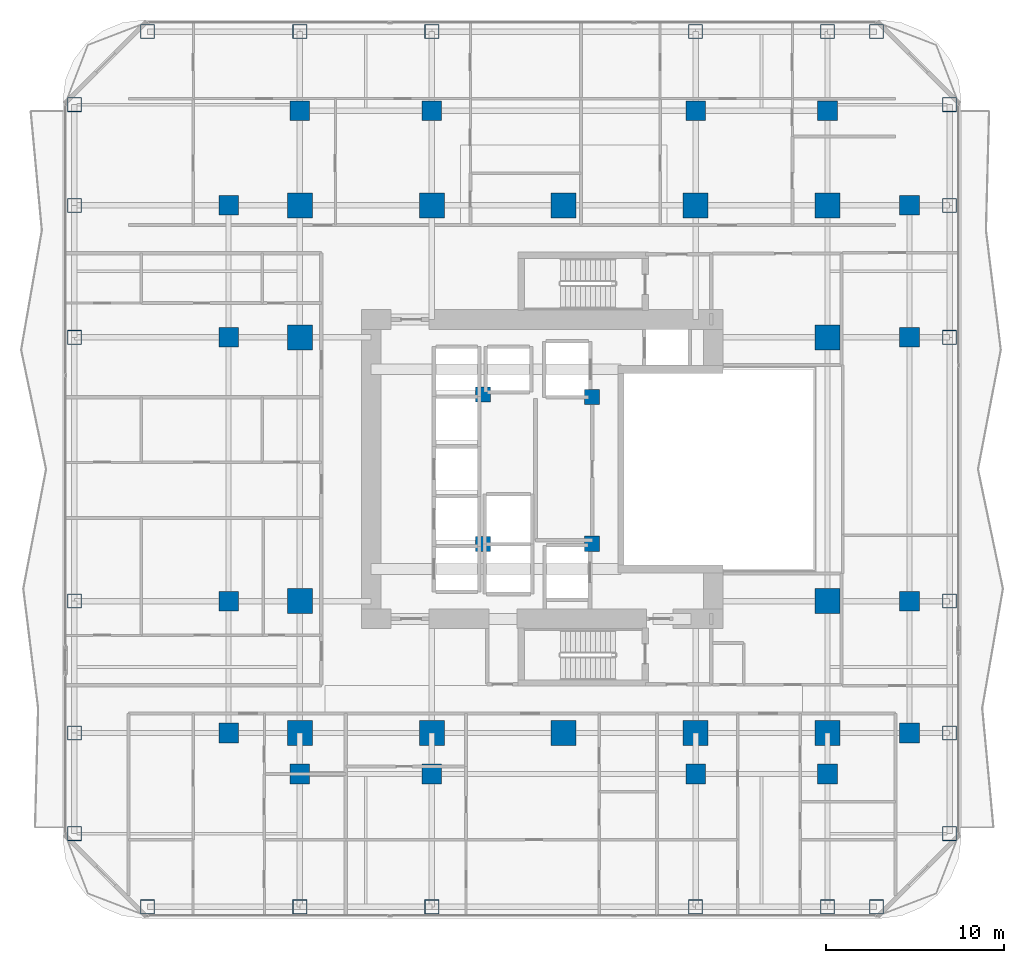
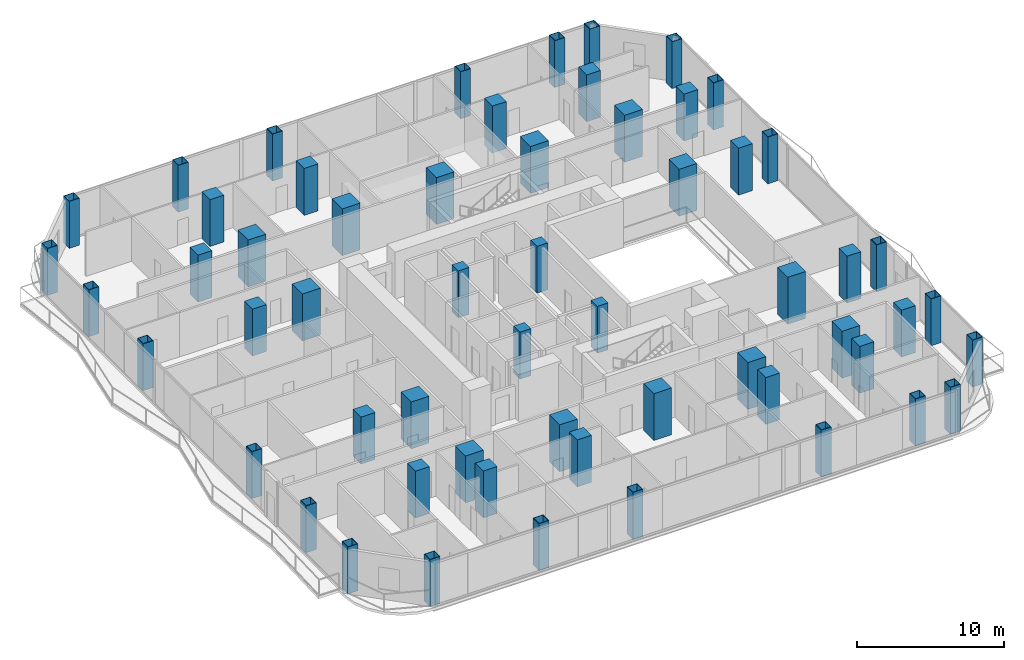
# One storey, part 1 of 29: 58 columns.
"""IFC4 building model written with IfcOpenShell, lengths in metres."""

import ifcopenshell
import ifcopenshell.guid

model = None  # the IFC model being written
_history = None  # IfcOwnerHistory: only IFC2X3 demands one
_inside = {}  # id of a spatial element -> (the spatial element, [elements in it])
_under = {}  # id of a project, library or spatial element -> (it, [spatial elements below it])
_declared = {}  # id of a project -> (the project, [libraries it declares])
_typed = {}  # id of a type object -> (the type object, [elements of that type])
_made_of = {}  # id of a material, layer set ... -> (it, [elements and type objects made of it])


def new_model(schema):
    """Start an empty IFC model of exactly this schema.

    Asked for "IFC4X3", IfcOpenShell would pick the latest addendum, in which some entities
    have other attributes; the version numbers below select the first issue.
    IFC2X3 requires an IfcOwnerHistory on every rooted entity: one is made here for all.
    """
    global model, _history
    if schema == "IFC4X3":
        model = ifcopenshell.file(schema_version=(4, 3, 0, 0))
    else:
        model = ifcopenshell.file(schema=schema)
    _inside.clear()
    _under.clear()
    _declared.clear()
    _typed.clear()
    _made_of.clear()
    _history = None
    if model.schema == "IFC2X3":
        org = make("IfcOrganization", Name="unknown")
        user = make(
            "IfcPersonAndOrganization",
            ThePerson=make("IfcPerson", FamilyName="unknown"),
            TheOrganization=org,
        )
        app = make(
            "IfcApplication",
            ApplicationDeveloper=org,
            Version="unknown",
            ApplicationFullName="unknown",
            ApplicationIdentifier="unknown",
        )
        _history = make(
            "IfcOwnerHistory",
            OwningUser=user,
            OwningApplication=app,
            ChangeAction="ADDED",
            CreationDate=0,
        )
    return model


def make(cls, **values):
    """One entity of the class cls with the attributes given. An attribute that is None is left unset."""
    return model.create_entity(
        cls, **{name: value for name, value in values.items() if value is not None}
    )


def rooted(cls, **values):
    """An entity with a GlobalId (a new one), such as an element, a storey or a relation."""
    return make(cls, GlobalId=ifcopenshell.guid.new(), OwnerHistory=_history, **values)


def si_unit(unit_type, name, prefix=None):
    """IfcSIUnit, for example si_unit("LENGTHUNIT", "METRE", prefix="MILLI")."""
    return make("IfcSIUnit", UnitType=unit_type, Prefix=prefix, Name=name)


def assignment(units):
    """IfcUnitAssignment: the units of a project."""
    return None if units is None else make("IfcUnitAssignment", Units=units)


def point(xyz):
    """IfcCartesianPoint."""
    return None if xyz is None else make("IfcCartesianPoint", Coordinates=xyz)


def direction(xyz):
    """IfcDirection."""
    return None if xyz is None else make("IfcDirection", DirectionRatios=xyz)


def frame(location, z_axis=None, x_axis=None):
    """IfcAxis2Placement3D, a coordinate frame: its origin and axes. An axis left out is left unset."""
    return make(
        "IfcAxis2Placement3D",
        Location=point(location),
        Axis=direction(z_axis),
        RefDirection=direction(x_axis),
    )


def frame_2d(location, x_axis=None):
    """IfcAxis2Placement2D, a coordinate frame in the plane: its origin and x axis."""
    return make(
        "IfcAxis2Placement2D", Location=point(location), RefDirection=direction(x_axis)
    )


def origin():
    """The frame at (0, 0, 0) with its axes left unset."""
    return frame((0.0, 0.0, 0.0))


def origin_2d():
    """The frame at (0, 0) in the plane with its x axis left unset."""
    return frame_2d((0.0, 0.0))


def place(relative_to, where):
    """IfcLocalPlacement: puts the frame where relative to a parent placement (None: the world)."""
    return make(
        "IfcLocalPlacement", PlacementRelTo=relative_to, RelativePlacement=where
    )


def context(
    kind, dimensions, precision=None, world=None, true_north=None, identifier=None
):
    """IfcGeometricRepresentationContext, for example the 3D "Model" context."""
    return make(
        "IfcGeometricRepresentationContext",
        ContextIdentifier=identifier,
        ContextType=kind,
        CoordinateSpaceDimension=dimensions,
        Precision=precision,
        WorldCoordinateSystem=world,
        TrueNorth=true_north,
    )


def subcontext(parent, identifier, kind, view, scale=None):
    """IfcGeometricRepresentationSubContext, for example "Body" below "Model"."""
    return make(
        "IfcGeometricRepresentationSubContext",
        ContextIdentifier=identifier,
        ContextType=kind,
        ParentContext=parent,
        TargetScale=scale,
        TargetView=view,
    )


def project(units=None, contexts=None):
    """IfcProject with its units and contexts."""
    return rooted(
        "IfcProject",
        Name="project",
        RepresentationContexts=contexts,
        UnitsInContext=assignment(units),
    )


def spatial(cls, under=None, at=None, **own):
    """A site, building, storey or space (cls), placed at a placement, below another one or the project."""
    s = rooted(cls, ObjectPlacement=at, **own)
    if under is not None:
        _under.setdefault(under.id(), (under, []))[1].append(s)
    return s


def profile(cls, at=None, kind="AREA", **sizes):
    """A parametric profile (cls). Its sizes go by their IFC names, for example OverallWidth=200.0."""
    return make(cls, ProfileType=kind, Position=at, **sizes)


def rectangle(**sizes):
    """IfcRectangleProfileDef."""
    return profile("IfcRectangleProfileDef", **sizes)


def hollow_rectangle(**sizes):
    """IfcRectangleHollowProfileDef."""
    return profile("IfcRectangleHollowProfileDef", **sizes)


def extrude(swept, where, along, depth):
    """IfcExtrudedAreaSolid: the profile swept, set in the frame where, extruded along a direction by depth."""
    return make(
        "IfcExtrudedAreaSolid",
        SweptArea=swept,
        Position=where,
        ExtrudedDirection=direction(along),
        Depth=depth,
    )


def shape(context_of_items, identifier, shape_type, items):
    """IfcShapeRepresentation: the items that make up one representation, for example the "Body"."""
    return make(
        "IfcShapeRepresentation",
        ContextOfItems=context_of_items,
        RepresentationIdentifier=identifier,
        RepresentationType=shape_type,
        Items=items,
    )


def material(Name=None, Category=None):
    """IfcMaterial."""
    return make("IfcMaterial", Name=Name, Category=Category)


def material_profile(
    of_material, cross_section, Name=None, Category=None, Priority=None
):
    """IfcMaterialProfile: a cross section and its material."""
    return make(
        "IfcMaterialProfile",
        Name=Name,
        Material=of_material,
        Profile=cross_section,
        Priority=Priority,
        Category=Category,
    )


def profile_set(profiles, Name=None, composite=None):
    """IfcMaterialProfileSet."""
    return make(
        "IfcMaterialProfileSet",
        Name=Name,
        MaterialProfiles=profiles,
        CompositeProfile=composite,
    )


def made_of(thing, what):
    """Note that an element or type object is made of a material, layer set ...; save() writes the relation."""
    if what is not None:
        _made_of.setdefault(what.id(), (what, []))[1].append(thing)
    return thing


def type_object(cls, material=None, **own):
    """A type object (cls), such as IfcWallType, which elements share."""
    return made_of(rooted(cls, **own), material)


def element(
    cls,
    number,
    at=None,
    inside=None,
    cuts=None,
    type_object=None,
    material=None,
    context=None,
    identifier="Body",
    shape_type=None,
    held_by="IfcProductDefinitionShape",
    body=None,
    shapes=None,
    **own,
):
    """One element of the class cls, such as IfcWall. Its Tag is "e" and its number.

    at: its placement. inside: the storey or other place that contains it. cuts: it is an
    opening in that element (IfcRelVoidsElement). A single representation is given by context,
    identifier, shape_type and body (its items); several are given by shapes. held_by: the class
    of the entity that holds the representations. save() writes the other relations.
    """
    e = rooted(cls, Tag="e%d" % number, ObjectPlacement=at, **own)
    if body is not None:
        shapes = [shape(context, identifier, shape_type, body)]
    if shapes is not None:
        e.Representation = make(held_by, Representations=shapes)
    if inside is not None:
        _inside.setdefault(inside.id(), (inside, []))[1].append(e)
    if cuts is not None:
        rooted(
            "IfcRelVoidsElement", RelatingBuildingElement=cuts, RelatedOpeningElement=e
        )
    if type_object is not None:
        _typed.setdefault(type_object.id(), (type_object, []))[1].append(e)
    return made_of(e, material)


def aggregate(whole, parts):
    """IfcRelAggregates: a whole, such as a stair, and the parts it consists of."""
    return rooted("IfcRelAggregates", RelatingObject=whole, RelatedObjects=parts)


def save(model, path):
    """Write the relations noted so far, then the file.

    IfcRelAggregates (storeys below a building ...), IfcRelContainedInSpatialStructure (elements
    in a storey), IfcRelDefinesByType, IfcRelAssociatesMaterial and IfcRelDeclares: one each for
    every whole, place, type object, material and project.
    """
    for whole, parts in _under.values():
        aggregate(whole, parts)
    for where, things in _inside.values():
        rooted(
            "IfcRelContainedInSpatialStructure",
            RelatedElements=things,
            RelatingStructure=where,
        )
    for kind, things in _typed.values():
        rooted("IfcRelDefinesByType", RelatedObjects=things, RelatingType=kind)
    for what, things in _made_of.values():
        rooted("IfcRelAssociatesMaterial", RelatedObjects=things, RelatingMaterial=what)
    for by, libraries in _declared.values():
        rooted("IfcRelDeclares", RelatingContext=by, RelatedDefinitions=libraries)
    model.write(path)


model = new_model("IFC4")

# Units and contexts
model_context = context("Model", 3, precision=1e-05, world=origin(), true_north=direction((0.0, 1.0)))
body_context = subcontext(model_context, "Body", "Model", "MODEL_VIEW")
ifc_project = project(units=[si_unit("LENGTHUNIT", "METRE"), si_unit("AREAUNIT", "SQUARE_METRE"), si_unit("VOLUMEUNIT", "CUBIC_METRE"), si_unit("PLANEANGLEUNIT", "RADIAN"), si_unit("MASSUNIT", "GRAM", prefix="KILO")], contexts=[model_context])

# Site, building, storey
site_placement = place(None, origin())
site = spatial("IfcSite", under=ifc_project, at=site_placement, CompositionType="ELEMENT")
building_placement = place(site_placement, origin())
building = spatial("IfcBuilding", under=site, at=building_placement, Name="Khorvyn Point Tower", CompositionType="ELEMENT")
storey_placement = place(building_placement, frame((0.0, 0.0, 61.800048828125)))
storey = spatial("IfcBuildingStorey", under=building, at=storey_placement, Name="L16", CompositionType="ELEMENT", Elevation=61.800048828125)

# Columns
ifc_material_1 = material(Name="Concrete C40/50", Category="concrete")
ifc_material_profile_1 = material_profile(ifc_material_1, rectangle(XDim=0.85009765625, YDim=0.85009765625, at=origin_2d()))
ifc_profile_set_1 = profile_set([ifc_material_profile_1], Name="Concrete C40/50 RC850x850")
column_type_1 = type_object("IfcColumnType", Name="Concrete C40/50 Column RC850x850", PredefinedType="COLUMN", material=ifc_profile_set_1)
for number, where, z_axis, x_axis, name in (
    (1, (-4.52001953125, -4.199951171875, 0.0), (0.0, 0.0, 1.0), (1.0, 0.0, 0.0), "L16 Crown Core Spine Column 1"),
    (2, (1.580078125, -4.179931640625, 0.0), (0.0, 0.0, 1.0), (1.0, 0.0, 0.0), "L16 Crown Core Spine Column 2"),
    (3, (1.580078125, 4.050048828125, 0.0), (0.0, 0.0, 1.0), (1.0, 0.0, 0.0), "L16 Crown Core Spine Column 3"),
    (4, (-4.52001953125, 4.199951171875, 0.0), (0.0, 0.0, 1.0), (1.0, 0.0, 0.0), "L16 Crown Core Spine Column 4"),
):
    element("IfcColumn", number, at=place(storey_placement, frame(where, z_axis=z_axis, x_axis=x_axis)), inside=storey, type_object=column_type_1, Name=name, PredefinedType="COLUMN", context=body_context, shape_type="SweptSolid", body=[
        extrude(rectangle(XDim=0.85009765625, YDim=0.85009765625, at=origin_2d()), origin(), (0.0, 0.0, 1.0), 3.89990234375),
    ])
ifc_material_2 = material(Name="Concrete C45/55", Category="concrete")
ifc_material_profile_2 = material_profile(ifc_material_2, rectangle(XDim=1.10009765625, YDim=1.10009765625, at=origin_2d()))
ifc_profile_set_2 = profile_set([ifc_material_profile_2], Name="Concrete C45/55 RC1100x1100")
column_type_2 = type_object("IfcColumnType", Name="Concrete C45/55 Column RC1100x1100", PredefinedType="COLUMN", material=ifc_profile_set_2)
for number, where, z_axis, x_axis, name in (
    (5, (-18.800048828125, -14.800048828125, 0.0), (0.0, 0.0, 1.0), (1.0, 0.0, 0.0), "L16 Intermediate Column ICW--14"),
    (6, (-18.800048828125, -7.39990234375, 0.0), (0.0, 0.0, 1.0), (1.0, 0.0, 0.0), "L16 Intermediate Column ICW--7"),
    (7, (-18.800048828125, 7.39990234375, 0.0), (0.0, 0.0, 1.0), (1.0, 0.0, 0.0), "L16 Intermediate Column ICW-7"),
    (8, (-18.800048828125, 14.800048828125, 0.0), (0.0, 0.0, 1.0), (1.0, 0.0, 0.0), "L16 Intermediate Column ICW-14"),
    (9, (19.39990234375, -14.800048828125, 0.0), (0.0, 0.0, 1.0), (1.0, 0.0, 0.0), "L16 Intermediate Column ICE--14"),
    (10, (19.39990234375, -7.39990234375, 0.0), (0.0, 0.0, 1.0), (1.0, 0.0, 0.0), "L16 Intermediate Column ICE--7"),
    (11, (19.39990234375, 7.39990234375, 0.0), (0.0, 0.0, 1.0), (1.0, 0.0, 0.0), "L16 Intermediate Column ICE-7"),
    (12, (19.39990234375, 14.800048828125, 0.0), (0.0, 0.0, 1.0), (1.0, 0.0, 0.0), "L16 Intermediate Column ICE-14"),
    (13, (-14.800048828125, -17.10009765625, 0.0), (0.0, 0.0, 1.0), (1.0, 0.0, 0.0), "L16 Intermediate Column ICS--14"),
    (14, (-7.39990234375, -17.10009765625, 0.0), (0.0, 0.0, 1.0), (1.0, 0.0, 0.0), "L16 Intermediate Column ICS--7"),
    (15, (7.39990234375, -17.10009765625, 0.0), (0.0, 0.0, 1.0), (1.0, 0.0, 0.0), "L16 Intermediate Column ICS-7"),
    (16, (14.800048828125, -17.10009765625, 0.0), (0.0, 0.0, 1.0), (1.0, 0.0, 0.0), "L16 Intermediate Column ICS-14"),
    (17, (-14.800048828125, 20.10009765625, 0.0), (0.0, 0.0, 1.0), (1.0, 0.0, 0.0), "L16 Intermediate Column ICN--14"),
    (18, (-7.39990234375, 20.10009765625, 0.0), (0.0, 0.0, 1.0), (1.0, 0.0, 0.0), "L16 Intermediate Column ICN--7"),
    (19, (7.39990234375, 20.10009765625, 0.0), (0.0, 0.0, 1.0), (1.0, 0.0, 0.0), "L16 Intermediate Column ICN-7"),
    (20, (14.800048828125, 20.10009765625, 0.0), (0.0, 0.0, 1.0), (1.0, 0.0, 0.0), "L16 Intermediate Column ICN-14"),
):
    element("IfcColumn", number, at=place(storey_placement, frame(where, z_axis=z_axis, x_axis=x_axis)), inside=storey, type_object=column_type_2, Name=name, PredefinedType="COLUMN", context=body_context, shape_type="SweptSolid", body=[
        extrude(rectangle(XDim=1.10009765625, YDim=1.10009765625, at=origin_2d()), origin(), (0.0, 0.0, 1.0), 3.89990234375),
    ])
ifc_material_3 = material(Name="Concrete C50/60", Category="concrete")
ifc_material_profile_3 = material_profile(ifc_material_3, rectangle(XDim=1.39990234375, YDim=1.39990234375, at=origin_2d()))
ifc_profile_set_3 = profile_set([ifc_material_profile_3], Name="Concrete C50/60 RC1400x1400")
column_type_3 = type_object("IfcColumnType", Name="Concrete C50/60 Column RC1400x1400", PredefinedType="COLUMN", material=ifc_profile_set_3)
for number, where, z_axis, x_axis, name in (
    (21, (-14.800048828125, -14.800048828125, 0.0), (0.0, 0.0, 1.0), (1.0, 0.0, 0.0), "L16 Mega-Column MC-01"),
    (22, (-7.39990234375, -14.800048828125, 0.0), (0.0, 0.0, 1.0), (1.0, 0.0, 0.0), "L16 Mega-Column MC-02"),
    (23, (0.0, -14.800048828125, 0.0), (0.0, 0.0, 1.0), (1.0, 0.0, 0.0), "L16 Mega-Column MC-03"),
    (24, (7.39990234375, -14.800048828125, 0.0), (0.0, 0.0, 1.0), (1.0, 0.0, 0.0), "L16 Mega-Column MC-04"),
    (25, (14.800048828125, -14.800048828125, 0.0), (0.0, 0.0, 1.0), (1.0, 0.0, 0.0), "L16 Mega-Column MC-05"),
    (26, (-14.800048828125, 14.800048828125, 0.0), (0.0, 0.0, 1.0), (1.0, 0.0, 0.0), "L16 Mega-Column MC-06"),
    (27, (-7.39990234375, 14.800048828125, 0.0), (0.0, 0.0, 1.0), (1.0, 0.0, 0.0), "L16 Mega-Column MC-07"),
    (28, (0.0, 14.800048828125, 0.0), (0.0, 0.0, 1.0), (1.0, 0.0, 0.0), "L16 Mega-Column MC-08"),
    (29, (7.39990234375, 14.800048828125, 0.0), (0.0, 0.0, 1.0), (1.0, 0.0, 0.0), "L16 Mega-Column MC-09"),
    (30, (14.800048828125, 14.800048828125, 0.0), (0.0, 0.0, 1.0), (1.0, 0.0, 0.0), "L16 Mega-Column MC-10"),
    (31, (-14.800048828125, -7.39990234375, 0.0), (0.0, 0.0, 1.0), (1.0, 0.0, 0.0), "L16 Mega-Column MC-11"),
    (32, (-14.800048828125, 7.39990234375, 0.0), (0.0, 0.0, 1.0), (1.0, 0.0, 0.0), "L16 Mega-Column MC-12"),
    (33, (14.800048828125, -7.39990234375, 0.0), (0.0, 0.0, 1.0), (1.0, 0.0, 0.0), "L16 Mega-Column MC-13"),
    (34, (14.800048828125, 7.39990234375, 0.0), (0.0, 0.0, 1.0), (1.0, 0.0, 0.0), "L16 Mega-Column MC-14"),
):
    element("IfcColumn", number, at=place(storey_placement, frame(where, z_axis=z_axis, x_axis=x_axis)), inside=storey, type_object=column_type_3, Name=name, PredefinedType="COLUMN", context=body_context, shape_type="SweptSolid", body=[
        extrude(rectangle(XDim=1.39990234375, YDim=1.39990234375, at=origin_2d()), origin(), (0.0, 0.0, 1.0), 3.89990234375),
    ])
ifc_material_4 = material(Name="Steel S450", Category="steel")
ifc_material_profile_4 = material_profile(ifc_material_4, hollow_rectangle(XDim=0.800048828125, YDim=0.800048828125, WallThickness=0.035888671875, at=origin_2d()))
ifc_profile_set_4 = profile_set([ifc_material_profile_4], Name="Steel S450 BOX800x800x36")
column_type_4 = type_object("IfcColumnType", Name="Steel S450 Structural Column BOX800x800x36", PredefinedType="COLUMN", material=ifc_profile_set_4)
for number, where, z_axis, x_axis, name in (
    (35, (-23.35009765625, -24.550048828125, 0.0), (0.0, 0.0, 1.0), (1.0, 0.0, 0.0), "L16 Perimeter Tube Column TC-01"),
    (36, (17.550048828125, -24.550048828125, 0.0), (0.0, 0.0, 1.0), (1.0, 0.0, 0.0), "L16 Perimeter Tube Column TC-02"),
    (37, (-23.35009765625, 24.550048828125, 0.0), (0.0, 0.0, 1.0), (1.0, 0.0, 0.0), "L16 Perimeter Tube Column TC-03"),
    (38, (17.550048828125, 24.550048828125, 0.0), (0.0, 0.0, 1.0), (1.0, 0.0, 0.0), "L16 Perimeter Tube Column TC-04"),
    (39, (-27.449951171875, -20.449951171875, 0.0), (0.0, 0.0, 1.0), (1.0, 0.0, 0.0), "L16 Perimeter Tube Column TC-05"),
    (40, (-27.449951171875, 20.449951171875, 0.0), (0.0, 0.0, 1.0), (1.0, 0.0, 0.0), "L16 Perimeter Tube Column TC-06"),
    (41, (21.64990234375, -20.449951171875, 0.0), (0.0, 0.0, 1.0), (1.0, 0.0, 0.0), "L16 Perimeter Tube Column TC-07"),
    (42, (21.64990234375, 20.449951171875, 0.0), (0.0, 0.0, 1.0), (1.0, 0.0, 0.0), "L16 Perimeter Tube Column TC-08"),
    (43, (-14.800048828125, -24.550048828125, 0.0), (0.0, 0.0, 1.0), (1.0, 0.0, 0.0), "L16 Perimeter Tube Column TC-09"),
    (44, (-14.800048828125, 24.550048828125, 0.0), (0.0, 0.0, 1.0), (1.0, 0.0, 0.0), "L16 Perimeter Tube Column TC-10"),
    (45, (-7.39990234375, -24.550048828125, 0.0), (0.0, 0.0, 1.0), (1.0, 0.0, 0.0), "L16 Perimeter Tube Column TC-11"),
    (46, (-7.39990234375, 24.550048828125, 0.0), (0.0, 0.0, 1.0), (1.0, 0.0, 0.0), "L16 Perimeter Tube Column TC-12"),
    (47, (7.39990234375, -24.550048828125, 0.0), (0.0, 0.0, 1.0), (1.0, 0.0, 0.0), "L16 Perimeter Tube Column TC-13"),
    (48, (7.39990234375, 24.550048828125, 0.0), (0.0, 0.0, 1.0), (1.0, 0.0, 0.0), "L16 Perimeter Tube Column TC-14"),
    (49, (14.800048828125, -24.550048828125, 0.0), (0.0, 0.0, 1.0), (1.0, 0.0, 0.0), "L16 Perimeter Tube Column TC-15"),
    (50, (14.800048828125, 24.550048828125, 0.0), (0.0, 0.0, 1.0), (1.0, 0.0, 0.0), "L16 Perimeter Tube Column TC-16"),
    (51, (-27.449951171875, -14.800048828125, 0.0), (0.0, 0.0, 1.0), (1.0, 0.0, 0.0), "L16 Perimeter Tube Column TC-17"),
    (52, (21.64990234375, -14.800048828125, 0.0), (0.0, 0.0, 1.0), (1.0, 0.0, 0.0), "L16 Perimeter Tube Column TC-18"),
    (53, (-27.449951171875, -7.39990234375, 0.0), (0.0, 0.0, 1.0), (1.0, 0.0, 0.0), "L16 Perimeter Tube Column TC-19"),
    (54, (21.64990234375, -7.39990234375, 0.0), (0.0, 0.0, 1.0), (1.0, 0.0, 0.0), "L16 Perimeter Tube Column TC-20"),
    (55, (-27.449951171875, 7.39990234375, 0.0), (0.0, 0.0, 1.0), (1.0, 0.0, 0.0), "L16 Perimeter Tube Column TC-21"),
    (56, (21.64990234375, 7.39990234375, 0.0), (0.0, 0.0, 1.0), (1.0, 0.0, 0.0), "L16 Perimeter Tube Column TC-22"),
    (57, (-27.449951171875, 14.800048828125, 0.0), (0.0, 0.0, 1.0), (1.0, 0.0, 0.0), "L16 Perimeter Tube Column TC-23"),
    (58, (21.64990234375, 14.800048828125, 0.0), (0.0, 0.0, 1.0), (1.0, 0.0, 0.0), "L16 Perimeter Tube Column TC-24"),
):
    element("IfcColumn", number, at=place(storey_placement, frame(where, z_axis=z_axis, x_axis=x_axis)), inside=storey, type_object=column_type_4, Name=name, PredefinedType="COLUMN", context=body_context, shape_type="SweptSolid", body=[
        extrude(hollow_rectangle(XDim=0.800048828125, YDim=0.800048828125, WallThickness=0.035888671875, at=origin_2d()), origin(), (0.0, 0.0, 1.0), 3.89990234375),
    ])

save(model, "model.ifc")
